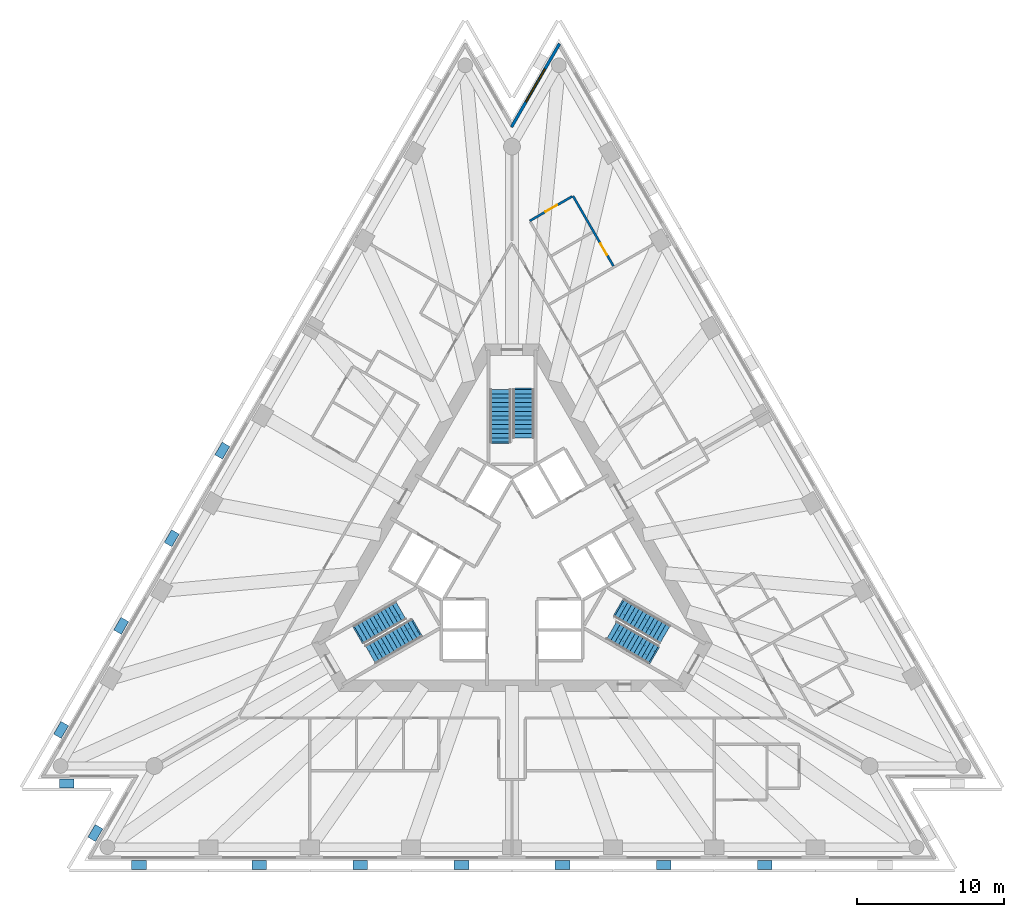
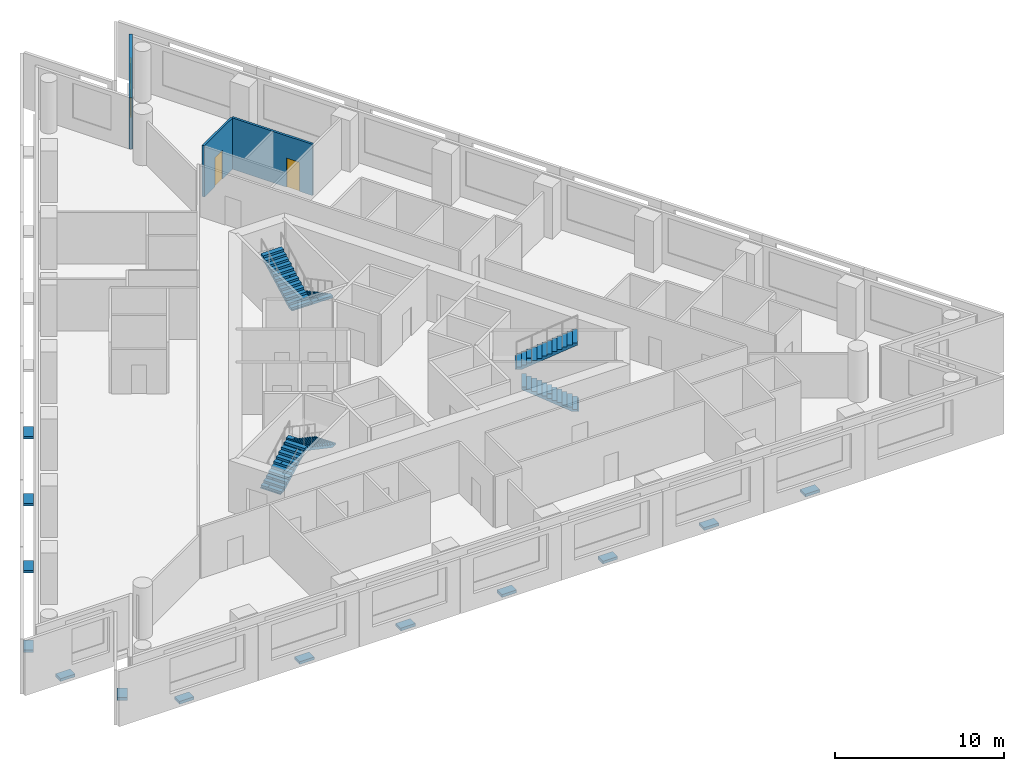
# One storey, part 7 of 10: 13 discrete accessories, 6 stair flights, 3 walls, 2 doors, 1 window, 3 openings, 3 elements without a shape of their own.
"""IFC4 building model written with IfcOpenShell, lengths in metres."""

from ifc_helpers import new_model, si_unit, direction, frame, frame_2d, origin, origin_2d, place, context, subcontext, project, spatial, polyline, rectangle, outline, extrude, material, layer, layer_set, layer_usage, type_object, element, fill, aggregate, save


model = new_model("IFC4")

# Units and contexts
model_context = context("Model", 3, precision=1e-05, world=origin(), true_north=direction((0.0, 1.0)))
body_context = subcontext(model_context, "Body", "Model", "MODEL_VIEW")
ifc_project = project(units=[si_unit("LENGTHUNIT", "METRE"), si_unit("AREAUNIT", "SQUARE_METRE"), si_unit("VOLUMEUNIT", "CUBIC_METRE"), si_unit("PLANEANGLEUNIT", "RADIAN"), si_unit("MASSUNIT", "GRAM", prefix="KILO")], contexts=[model_context])

# Site, building, storey
site_placement = place(None, origin())
site = spatial("IfcSite", under=ifc_project, at=site_placement, CompositionType="ELEMENT")
building_placement = place(site_placement, origin())
building = spatial("IfcBuilding", under=site, at=building_placement, Name="Triada Interchange Tower", CompositionType="ELEMENT")
storey_placement = place(building_placement, frame((0.0, 0.0, 116.300048828125)))
storey = spatial("IfcBuildingStorey", under=building, at=storey_placement, Name="L26", CompositionType="ELEMENT", Elevation=116.300048828125)

# Wall, opening, window
ifc_material_1 = material(Name="Cement board")
ifc_layer_1 = layer(ifc_material_1, 0.02001953125, Name="Cement board cladding")
ifc_material_2 = material(Name="Sheathing board")
ifc_layer_2 = layer(ifc_material_2, 0.014892578125, Name="Sheathing board")
ifc_material_3 = material(Name="Mineral wool")
ifc_layer_3 = layer(ifc_material_3, 0.14990234375, Name="Mineral wool between steel studs")
ifc_material_4 = material(Name="Gypsum board")
ifc_layer_4 = layer(ifc_material_4, 0.014892578125, Name="Plasterboard lining")
ifc_layer_set_1 = layer_set([ifc_layer_1, ifc_layer_2, ifc_layer_3, ifc_layer_4], Name="External wall 200")
ifc_layer_usage = layer_usage(ifc_layer_set_1, "AXIS2", "POSITIVE", -0.10009765625)
wall_type_1 = type_object("IfcWallType", Name="External wall 200", PredefinedType="ELEMENTEDWALL", material=ifc_layer_set_1)
wall_1_placement = place(storey_placement, frame((3.243896484375, 35.18505859375, 0.0), z_axis=(0.0, 0.0, 1.0), x_axis=(-0.499862072928, -0.866105021373, 0.0)))
wall_1 = element("IfcWall", 1, at=wall_1_placement, inside=storey, type_object=wall_type_1, material=ifc_layer_usage, Name="External wall L26 N-1", PredefinedType="ELEMENTEDWALL", context=body_context, shape_type="SweptSolid", body=[
    extrude(rectangle(XDim=6.559326171875, YDim=0.199951171875, at=frame_2d((3.27978515625, 0.0))), origin(), (0.0, 0.0, 1.0), 3.699951171875),
])
opening_1_placement = place(wall_1_placement, frame((1.989990234375, 0.0, 0.89990234375)))
opening_1 = element("IfcOpeningElement", 2, at=opening_1_placement, cuts=wall_1, Name="Opening WB29", PredefinedType="OPENING", context=body_context, shape_type="SweptSolid", body=[
    extrude(rectangle(XDim=2.60009765625, YDim=2.5, at=frame_2d((1.300048828125, 1.25))), frame((0.0, 0.10986328125, 0.0), z_axis=(0.0, -1.0, 0.0), x_axis=(1.0, 0.0, 0.0)), (0.0, 0.0, 1.0), 0.219970703125),
])
ifc_material_5 = material(Name="Double glazed aluminium window", Category="aluminium")
window_type = type_object("IfcWindowType", Name="Ribbon window B pocket", PartitioningType="SINGLE_PANEL", PredefinedType="WINDOW", material=ifc_material_5)
window_placement = place(opening_1_placement, origin())
window = element("IfcWindow", 3, at=window_placement, inside=storey, type_object=window_type, Name="Window L26 N-1 1", OverallHeight=2.5, OverallWidth=2.60009765625, PartitioningType="SINGLE_PANEL", PredefinedType="WINDOW", context=body_context, shape_type="SweptSolid", body=[
    extrude(rectangle(XDim=2.60009765625, YDim=2.5, at=frame_2d((1.300048828125, 1.25))), frame((0.0, 0.030029296875, 0.0), z_axis=(0.0, -1.0, 0.0), x_axis=(1.0, 0.0, 0.0)), (0.0, 0.0, 1.0), 0.06005859375),
])
fill(opening_1, window)

# Wall, opening, door
ifc_material_6 = material(Name="Gypsum board partition")
ifc_layer_5 = layer(ifc_material_6, 0.14990234375)
ifc_layer_set_2 = layer_set([ifc_layer_5], Name="PARTITION 150 EI 90")
wall_type_2 = type_object("IfcWallType", Name="PARTITION 150 EI 90", PredefinedType="PARTITIONING", material=ifc_layer_set_2)
wall_2_placement = place(storey_placement, frame((4.157958984375, 24.798095703125, 0.0), z_axis=(0.0, 0.0, 1.0), x_axis=(0.5000309746, -0.866007519852, 0.0)))
wall_2 = element("IfcWall", 4, at=wall_2_placement, inside=storey, type_object=wall_type_2, Name="Wall L26 47", PredefinedType="PARTITIONING", context=body_context, shape_type="SweptSolid", body=[
    extrude(rectangle(XDim=5.525634765625, YDim=0.14990234375, at=frame_2d((2.7626953125, 0.0))), origin(), (0.0, 0.0, 1.0), 3.699951171875),
])
opening_2_placement = place(wall_2_placement, frame((3.75, 0.0, 0.0)))
opening_2 = element("IfcOpeningElement", 5, at=opening_2_placement, cuts=wall_2, Name="Opening D26-32", PredefinedType="OPENING", context=body_context, shape_type="SweptSolid", body=[
    extrude(rectangle(XDim=0.89990234375, YDim=2.10009765625, at=frame_2d((0.449951171875, 1.050048828125))), frame((0.0, 0.0849609375, 0.0), z_axis=(0.0, -1.0, 0.0), x_axis=(1.0, 0.0, 0.0)), (0.0, 0.0, 1.0), 0.169921875),
])
ifc_material_7 = material(Name="Steel S235 door leaf", Category="steel")
door_type = type_object("IfcDoorType", Name="ROOM DOOR 900 EI2 45-C5S200", OperationType="NOTDEFINED", PredefinedType="DOOR", material=ifc_material_7)
door_1_placement = place(opening_2_placement, origin())
door_1 = element("IfcDoor", 6, at=door_1_placement, inside=storey, type_object=door_type, Name="Door D26-32 L26", OperationType="SINGLE_SWING_LEFT", OverallHeight=2.10009765625, OverallWidth=0.89990234375, PredefinedType="DOOR", context=body_context, shape_type="SweptSolid", body=[
    extrude(rectangle(XDim=0.89990234375, YDim=2.10009765625, at=frame_2d((0.449951171875, 1.050048828125))), frame((0.0, 0.02490234375, 0.0), z_axis=(0.0, -1.0, 0.0), x_axis=(1.0, 0.0, 0.0)), (0.0, 0.0, 1.0), 0.050048828125),
])
fill(opening_2, door_1)

wall_3_placement = place(storey_placement, frame((1.214111328125, 23.097900390625, 0.0), z_axis=(0.0, 0.0, 1.0), x_axis=(0.866029041019, 0.499993700073, 0.0)))
wall_3 = element("IfcWall", 7, at=wall_3_placement, inside=storey, type_object=wall_type_2, Name="Wall L26 48", PredefinedType="PARTITIONING", context=body_context, shape_type="SweptSolid", body=[
    extrude(rectangle(XDim=3.32421875, YDim=0.14990234375, at=frame_2d((1.662109375, 0.0))), origin(), (0.0, 0.0, 1.0), 3.699951171875),
])
opening_3_placement = place(wall_3_placement, frame((1.25, 0.0, 0.0)))
opening_3 = element("IfcOpeningElement", 8, at=opening_3_placement, cuts=wall_3, Name="Opening D26-33", PredefinedType="OPENING", context=body_context, shape_type="SweptSolid", body=[
    extrude(rectangle(XDim=0.89990234375, YDim=2.10009765625, at=frame_2d((0.449951171875, 1.050048828125))), frame((0.0, 0.0849609375, 0.0), z_axis=(0.0, -1.0, 0.0), x_axis=(1.0, 0.0, 0.0)), (0.0, 0.0, 1.0), 0.169921875),
])
door_2_placement = place(opening_3_placement, origin())
door_2 = element("IfcDoor", 9, at=door_2_placement, inside=storey, type_object=door_type, Name="Door D26-33 L26", OperationType="SINGLE_SWING_RIGHT", OverallHeight=2.10009765625, OverallWidth=0.89990234375, PredefinedType="DOOR", context=body_context, shape_type="SweptSolid", body=[
    extrude(rectangle(XDim=0.89990234375, YDim=2.10009765625, at=frame_2d((0.449951171875, 1.050048828125))), frame((0.0, 0.02490234375, 0.0), z_axis=(0.0, -1.0, 0.0), x_axis=(1.0, 0.0, 0.0)), (0.0, 0.0, 1.0), 0.050048828125),
])
fill(opening_3, door_2)

# Stair, stair flights
ifc_material_8 = material(Name="Concrete C35/45", Category="concrete")
stair_type = type_object("IfcStairType", Name="HALF TURN STAIR 1400", PredefinedType="HALF_TURN_STAIR", material=ifc_material_8)
stair_1_placement = place(storey_placement, origin())
stair_1 = element("IfcStair", 10, at=stair_1_placement, inside=storey, type_object=stair_type, Name="Exit stair S26-1", PredefinedType="HALF_TURN_STAIR")
stair_flight_type = type_object("IfcStairFlightType", Name="STRAIGHT STAIR FLIGHT 1400", PredefinedType="STRAIGHT", material=ifc_material_8)
stair_flight_1_placement = place(storey_placement, frame((0.800048828125, 11.60009765625, 0.0), z_axis=(0.0, 0.0, 1.0), x_axis=(0.0, -1.0, 0.0)))
stair_flight_1 = element("IfcStairFlight", 11, at=stair_flight_1_placement, type_object=stair_flight_type, Name="S26-1 flight 1", NumberOfRisers=12, NumberOfTreads=11, PredefinedType="STRAIGHT", RiserHeight=0.16, TreadLength=0.3, context=body_context, shape_type="SweptSolid", body=[
    extrude(outline(polyline([(-0.10009765625, 0.0), (-0.10009765625, 0.02001953125), (0.0, 0.02001953125), (0.0, 0.159912109375), (0.300048828125, 0.159912109375), (0.300048828125, 0.320068359375), (0.60009765625, 0.320068359375), (0.60009765625, 0.47998046875), (0.89990234375, 0.47998046875), (0.89990234375, 0.639892578125), (1.199951171875, 0.639892578125), (1.199951171875, 0.800048828125), (1.5, 0.800048828125), (1.5, 0.9599609375), (1.800048828125, 0.9599609375), (1.800048828125, 1.1201171875), (2.10009765625, 1.1201171875), (2.10009765625, 1.280029296875), (2.39990234375, 1.280029296875), (2.39990234375, 1.43994140625), (2.699951171875, 1.43994140625), (2.699951171875, 1.60009765625), (3.0, 1.60009765625), (3.0, 1.760009765625), (3.300048828125, 1.760009765625), (3.303955078125, 1.760009765625), (3.303955078125, 1.919921875), (3.303955078125, 1.590087890625), (0.318603515625, 0.0), (-0.10009765625, 0.0)])), frame((0.0, 0.699951171875, 0.0), z_axis=(0.0, -1.0, 0.0), x_axis=(1.0, 0.0, 0.0)), (0.0, 0.0, 1.0), 0.46533203125),
    extrude(outline(polyline([(-0.10009765625, 0.0), (-0.10009765625, 0.02001953125), (0.0, 0.02001953125), (0.0, 0.159912109375), (0.300048828125, 0.159912109375), (0.300048828125, 0.320068359375), (0.60009765625, 0.320068359375), (0.60009765625, 0.47998046875), (0.89990234375, 0.47998046875), (0.89990234375, 0.639892578125), (1.199951171875, 0.639892578125), (1.199951171875, 0.800048828125), (1.5, 0.800048828125), (1.5, 0.9599609375), (1.800048828125, 0.9599609375), (1.800048828125, 1.1201171875), (2.10009765625, 1.1201171875), (2.10009765625, 1.280029296875), (2.39990234375, 1.280029296875), (2.39990234375, 1.43994140625), (2.699951171875, 1.43994140625), (2.699951171875, 1.60009765625), (3.0, 1.60009765625), (3.0, 1.760009765625), (3.300048828125, 1.760009765625), (3.303955078125, 1.760009765625), (3.303955078125, 1.919921875), (3.303955078125, 1.590087890625), (0.318603515625, 0.0), (-0.10009765625, 0.0)])), frame((0.0, 0.232666015625, 0.0), z_axis=(0.0, -1.0, 0.0), x_axis=(1.0, 0.0, 0.0)), (0.0, 0.0, 1.0), 0.46533203125),
    extrude(outline(polyline([(-0.10009765625, 0.0), (-0.10009765625, 0.02001953125), (0.0, 0.02001953125), (0.0, 0.159912109375), (0.300048828125, 0.159912109375), (0.300048828125, 0.320068359375), (0.60009765625, 0.320068359375), (0.60009765625, 0.47998046875), (0.89990234375, 0.47998046875), (0.89990234375, 0.639892578125), (1.199951171875, 0.639892578125), (1.199951171875, 0.800048828125), (1.5, 0.800048828125), (1.5, 0.9599609375), (1.800048828125, 0.9599609375), (1.800048828125, 1.1201171875), (2.10009765625, 1.1201171875), (2.10009765625, 1.280029296875), (2.39990234375, 1.280029296875), (2.39990234375, 1.43994140625), (2.699951171875, 1.43994140625), (2.699951171875, 1.60009765625), (3.0, 1.60009765625), (3.0, 1.760009765625), (3.300048828125, 1.760009765625), (3.303955078125, 1.760009765625), (3.303955078125, 1.919921875), (3.303955078125, 1.590087890625), (0.318603515625, 0.0), (-0.10009765625, 0.0)])), frame((0.0, -0.234619140625, 0.0), z_axis=(0.0, -1.0, 0.0), x_axis=(1.0, 0.0, 0.0)), (0.0, 0.0, 1.0), 0.46533203125),
])
stair_flight_2_placement = place(storey_placement, frame((-0.800048828125, 8.0, 1.919921875), z_axis=(0.0, 0.0, 1.0), x_axis=(0.0, 1.0, 0.0)))
stair_flight_2 = element("IfcStairFlight", 12, at=stair_flight_2_placement, type_object=stair_flight_type, Name="S26-1 flight 2", NumberOfRisers=13, NumberOfTreads=12, PredefinedType="STRAIGHT", RiserHeight=0.16, TreadLength=0.3, context=body_context, shape_type="SweptSolid", body=[
    extrude(outline(polyline([(-0.10009765625, 0.0), (-0.10009765625, 0.02001953125), (0.0, 0.02001953125), (0.0, 0.159912109375), (0.300048828125, 0.159912109375), (0.300048828125, 0.320068359375), (0.60009765625, 0.320068359375), (0.60009765625, 0.47998046875), (0.89990234375, 0.47998046875), (0.89990234375, 0.639892578125), (1.199951171875, 0.639892578125), (1.199951171875, 0.800048828125), (1.5, 0.800048828125), (1.5, 0.9599609375), (1.800048828125, 0.9599609375), (1.800048828125, 1.1201171875), (2.10009765625, 1.1201171875), (2.10009765625, 1.280029296875), (2.39990234375, 1.280029296875), (2.39990234375, 1.43994140625), (2.699951171875, 1.43994140625), (2.699951171875, 1.60009765625), (3.0, 1.60009765625), (3.0, 1.760009765625), (3.300048828125, 1.760009765625), (3.300048828125, 1.919921875), (3.60009765625, 1.919921875), (3.60400390625, 1.919921875), (3.60400390625, 2.080078125), (3.60400390625, 1.75), (0.318603515625, 0.0), (-0.10009765625, 0.0)])), frame((0.0, 0.699951171875, 0.0), z_axis=(0.0, -1.0, 0.0), x_axis=(1.0, 0.0, 0.0)), (0.0, 0.0, 1.0), 0.46533203125),
    extrude(outline(polyline([(-0.10009765625, 0.0), (-0.10009765625, 0.02001953125), (0.0, 0.02001953125), (0.0, 0.159912109375), (0.300048828125, 0.159912109375), (0.300048828125, 0.320068359375), (0.60009765625, 0.320068359375), (0.60009765625, 0.47998046875), (0.89990234375, 0.47998046875), (0.89990234375, 0.639892578125), (1.199951171875, 0.639892578125), (1.199951171875, 0.800048828125), (1.5, 0.800048828125), (1.5, 0.9599609375), (1.800048828125, 0.9599609375), (1.800048828125, 1.1201171875), (2.10009765625, 1.1201171875), (2.10009765625, 1.280029296875), (2.39990234375, 1.280029296875), (2.39990234375, 1.43994140625), (2.699951171875, 1.43994140625), (2.699951171875, 1.60009765625), (3.0, 1.60009765625), (3.0, 1.760009765625), (3.300048828125, 1.760009765625), (3.300048828125, 1.919921875), (3.60009765625, 1.919921875), (3.60400390625, 1.919921875), (3.60400390625, 2.080078125), (3.60400390625, 1.75), (0.318603515625, 0.0), (-0.10009765625, 0.0)])), frame((0.0, 0.232666015625, 0.0), z_axis=(0.0, -1.0, 0.0), x_axis=(1.0, 0.0, 0.0)), (0.0, 0.0, 1.0), 0.46533203125),
    extrude(outline(polyline([(-0.10009765625, 0.0), (-0.10009765625, 0.02001953125), (0.0, 0.02001953125), (0.0, 0.159912109375), (0.300048828125, 0.159912109375), (0.300048828125, 0.320068359375), (0.60009765625, 0.320068359375), (0.60009765625, 0.47998046875), (0.89990234375, 0.47998046875), (0.89990234375, 0.639892578125), (1.199951171875, 0.639892578125), (1.199951171875, 0.800048828125), (1.5, 0.800048828125), (1.5, 0.9599609375), (1.800048828125, 0.9599609375), (1.800048828125, 1.1201171875), (2.10009765625, 1.1201171875), (2.10009765625, 1.280029296875), (2.39990234375, 1.280029296875), (2.39990234375, 1.43994140625), (2.699951171875, 1.43994140625), (2.699951171875, 1.60009765625), (3.0, 1.60009765625), (3.0, 1.760009765625), (3.300048828125, 1.760009765625), (3.300048828125, 1.919921875), (3.60009765625, 1.919921875), (3.60400390625, 1.919921875), (3.60400390625, 2.080078125), (3.60400390625, 1.75), (0.318603515625, 0.0), (-0.10009765625, 0.0)])), frame((0.0, -0.234619140625, 0.0), z_axis=(0.0, -1.0, 0.0), x_axis=(1.0, 0.0, 0.0)), (0.0, 0.0, 1.0), 0.46533203125),
])
aggregate(stair_1, [stair_flight_1, stair_flight_2])

stair_2_placement = place(storey_placement, origin())
stair_2 = element("IfcStair", 13, at=stair_2_placement, inside=storey, type_object=stair_type, Name="Exit stair S26-2", PredefinedType="HALF_TURN_STAIR")
stair_flight_3_placement = place(storey_placement, frame((-10.446044921875, -5.10693359375, 0.0), z_axis=(0.0, 0.0, 1.0), x_axis=(0.866025403784, 0.5, 0.0)))
stair_flight_3 = element("IfcStairFlight", 14, at=stair_flight_3_placement, type_object=stair_flight_type, Name="S26-2 flight 1", NumberOfRisers=12, NumberOfTreads=11, PredefinedType="STRAIGHT", RiserHeight=0.16, TreadLength=0.3, context=body_context, shape_type="SweptSolid", body=[
    extrude(outline(polyline([(-0.10009765625, 0.0), (-0.10009765625, 0.02001953125), (0.0, 0.02001953125), (0.0, 0.159912109375), (0.300048828125, 0.159912109375), (0.300048828125, 0.320068359375), (0.60009765625, 0.320068359375), (0.60009765625, 0.47998046875), (0.89990234375, 0.47998046875), (0.89990234375, 0.639892578125), (1.199951171875, 0.639892578125), (1.199951171875, 0.800048828125), (1.5, 0.800048828125), (1.5, 0.9599609375), (1.800048828125, 0.9599609375), (1.800048828125, 1.1201171875), (2.10009765625, 1.1201171875), (2.10009765625, 1.280029296875), (2.39990234375, 1.280029296875), (2.39990234375, 1.43994140625), (2.699951171875, 1.43994140625), (2.699951171875, 1.60009765625), (3.0, 1.60009765625), (3.0, 1.760009765625), (3.300048828125, 1.760009765625), (3.303955078125, 1.760009765625), (3.303955078125, 1.919921875), (3.303955078125, 1.590087890625), (0.318603515625, 0.0), (-0.10009765625, 0.0)])), frame((0.0, 0.699951171875, 0.0), z_axis=(0.0, -1.0, 0.0), x_axis=(1.0, 0.0, 0.0)), (0.0, 0.0, 1.0), 0.46533203125),
    extrude(outline(polyline([(-0.10009765625, 0.0), (-0.10009765625, 0.02001953125), (0.0, 0.02001953125), (0.0, 0.159912109375), (0.300048828125, 0.159912109375), (0.300048828125, 0.320068359375), (0.60009765625, 0.320068359375), (0.60009765625, 0.47998046875), (0.89990234375, 0.47998046875), (0.89990234375, 0.639892578125), (1.199951171875, 0.639892578125), (1.199951171875, 0.800048828125), (1.5, 0.800048828125), (1.5, 0.9599609375), (1.800048828125, 0.9599609375), (1.800048828125, 1.1201171875), (2.10009765625, 1.1201171875), (2.10009765625, 1.280029296875), (2.39990234375, 1.280029296875), (2.39990234375, 1.43994140625), (2.699951171875, 1.43994140625), (2.699951171875, 1.60009765625), (3.0, 1.60009765625), (3.0, 1.760009765625), (3.300048828125, 1.760009765625), (3.303955078125, 1.760009765625), (3.303955078125, 1.919921875), (3.303955078125, 1.590087890625), (0.318603515625, 0.0), (-0.10009765625, 0.0)])), frame((0.0, 0.232666015625, 0.0), z_axis=(0.0, -1.0, 0.0), x_axis=(1.0, 0.0, 0.0)), (0.0, 0.0, 1.0), 0.46533203125),
    extrude(outline(polyline([(-0.10009765625, 0.0), (-0.10009765625, 0.02001953125), (0.0, 0.02001953125), (0.0, 0.159912109375), (0.300048828125, 0.159912109375), (0.300048828125, 0.320068359375), (0.60009765625, 0.320068359375), (0.60009765625, 0.47998046875), (0.89990234375, 0.47998046875), (0.89990234375, 0.639892578125), (1.199951171875, 0.639892578125), (1.199951171875, 0.800048828125), (1.5, 0.800048828125), (1.5, 0.9599609375), (1.800048828125, 0.9599609375), (1.800048828125, 1.1201171875), (2.10009765625, 1.1201171875), (2.10009765625, 1.280029296875), (2.39990234375, 1.280029296875), (2.39990234375, 1.43994140625), (2.699951171875, 1.43994140625), (2.699951171875, 1.60009765625), (3.0, 1.60009765625), (3.0, 1.760009765625), (3.300048828125, 1.760009765625), (3.303955078125, 1.760009765625), (3.303955078125, 1.919921875), (3.303955078125, 1.590087890625), (0.318603515625, 0.0), (-0.10009765625, 0.0)])), frame((0.0, -0.234619140625, 0.0), z_axis=(0.0, -1.0, 0.0), x_axis=(1.0, 0.0, 0.0)), (0.0, 0.0, 1.0), 0.46533203125),
])
stair_flight_4_placement = place(storey_placement, frame((-6.528076171875, -4.693115234375, 1.919921875), z_axis=(0.0, 0.0, 1.0), x_axis=(-0.866025403784, -0.5, 0.0)))
stair_flight_4 = element("IfcStairFlight", 15, at=stair_flight_4_placement, type_object=stair_flight_type, Name="S26-2 flight 2", NumberOfRisers=13, NumberOfTreads=12, PredefinedType="STRAIGHT", RiserHeight=0.16, TreadLength=0.3, context=body_context, shape_type="SweptSolid", body=[
    extrude(outline(polyline([(-0.10009765625, 0.0), (-0.10009765625, 0.02001953125), (0.0, 0.02001953125), (0.0, 0.159912109375), (0.300048828125, 0.159912109375), (0.300048828125, 0.320068359375), (0.60009765625, 0.320068359375), (0.60009765625, 0.47998046875), (0.89990234375, 0.47998046875), (0.89990234375, 0.639892578125), (1.199951171875, 0.639892578125), (1.199951171875, 0.800048828125), (1.5, 0.800048828125), (1.5, 0.9599609375), (1.800048828125, 0.9599609375), (1.800048828125, 1.1201171875), (2.10009765625, 1.1201171875), (2.10009765625, 1.280029296875), (2.39990234375, 1.280029296875), (2.39990234375, 1.43994140625), (2.699951171875, 1.43994140625), (2.699951171875, 1.60009765625), (3.0, 1.60009765625), (3.0, 1.760009765625), (3.300048828125, 1.760009765625), (3.300048828125, 1.919921875), (3.60009765625, 1.919921875), (3.60400390625, 1.919921875), (3.60400390625, 2.080078125), (3.60400390625, 1.75), (0.318603515625, 0.0), (-0.10009765625, 0.0)])), frame((0.0, 0.699951171875, 0.0), z_axis=(0.0, -1.0, 0.0), x_axis=(1.0, 0.0, 0.0)), (0.0, 0.0, 1.0), 0.46533203125),
    extrude(outline(polyline([(-0.10009765625, 0.0), (-0.10009765625, 0.02001953125), (0.0, 0.02001953125), (0.0, 0.159912109375), (0.300048828125, 0.159912109375), (0.300048828125, 0.320068359375), (0.60009765625, 0.320068359375), (0.60009765625, 0.47998046875), (0.89990234375, 0.47998046875), (0.89990234375, 0.639892578125), (1.199951171875, 0.639892578125), (1.199951171875, 0.800048828125), (1.5, 0.800048828125), (1.5, 0.9599609375), (1.800048828125, 0.9599609375), (1.800048828125, 1.1201171875), (2.10009765625, 1.1201171875), (2.10009765625, 1.280029296875), (2.39990234375, 1.280029296875), (2.39990234375, 1.43994140625), (2.699951171875, 1.43994140625), (2.699951171875, 1.60009765625), (3.0, 1.60009765625), (3.0, 1.760009765625), (3.300048828125, 1.760009765625), (3.300048828125, 1.919921875), (3.60009765625, 1.919921875), (3.60400390625, 1.919921875), (3.60400390625, 2.080078125), (3.60400390625, 1.75), (0.318603515625, 0.0), (-0.10009765625, 0.0)])), frame((0.0, 0.232666015625, 0.0), z_axis=(0.0, -1.0, 0.0), x_axis=(1.0, 0.0, 0.0)), (0.0, 0.0, 1.0), 0.46533203125),
    extrude(outline(polyline([(-0.10009765625, 0.0), (-0.10009765625, 0.02001953125), (0.0, 0.02001953125), (0.0, 0.159912109375), (0.300048828125, 0.159912109375), (0.300048828125, 0.320068359375), (0.60009765625, 0.320068359375), (0.60009765625, 0.47998046875), (0.89990234375, 0.47998046875), (0.89990234375, 0.639892578125), (1.199951171875, 0.639892578125), (1.199951171875, 0.800048828125), (1.5, 0.800048828125), (1.5, 0.9599609375), (1.800048828125, 0.9599609375), (1.800048828125, 1.1201171875), (2.10009765625, 1.1201171875), (2.10009765625, 1.280029296875), (2.39990234375, 1.280029296875), (2.39990234375, 1.43994140625), (2.699951171875, 1.43994140625), (2.699951171875, 1.60009765625), (3.0, 1.60009765625), (3.0, 1.760009765625), (3.300048828125, 1.760009765625), (3.300048828125, 1.919921875), (3.60009765625, 1.919921875), (3.60400390625, 1.919921875), (3.60400390625, 2.080078125), (3.60400390625, 1.75), (0.318603515625, 0.0), (-0.10009765625, 0.0)])), frame((0.0, -0.234619140625, 0.0), z_axis=(0.0, -1.0, 0.0), x_axis=(1.0, 0.0, 0.0)), (0.0, 0.0, 1.0), 0.46533203125),
])
aggregate(stair_2, [stair_flight_3, stair_flight_4])

stair_3_placement = place(storey_placement, origin())
stair_3 = element("IfcStair", 16, at=stair_3_placement, inside=storey, type_object=stair_type, Name="Exit stair S26-3", PredefinedType="HALF_TURN_STAIR")
stair_flight_5_placement = place(storey_placement, frame((9.64599609375, -6.492919921875, 0.0), z_axis=(0.0, 0.0, 1.0), x_axis=(-0.866025403784, 0.5, 0.0)))
stair_flight_5 = element("IfcStairFlight", 17, at=stair_flight_5_placement, type_object=stair_flight_type, Name="S26-3 flight 1", NumberOfRisers=12, NumberOfTreads=11, PredefinedType="STRAIGHT", RiserHeight=0.16, TreadLength=0.3, context=body_context, shape_type="SweptSolid", body=[
    extrude(outline(polyline([(-0.10009765625, 0.0), (-0.10009765625, 0.02001953125), (0.0, 0.02001953125), (0.0, 0.159912109375), (0.300048828125, 0.159912109375), (0.300048828125, 0.320068359375), (0.60009765625, 0.320068359375), (0.60009765625, 0.47998046875), (0.89990234375, 0.47998046875), (0.89990234375, 0.639892578125), (1.199951171875, 0.639892578125), (1.199951171875, 0.800048828125), (1.5, 0.800048828125), (1.5, 0.9599609375), (1.800048828125, 0.9599609375), (1.800048828125, 1.1201171875), (2.10009765625, 1.1201171875), (2.10009765625, 1.280029296875), (2.39990234375, 1.280029296875), (2.39990234375, 1.43994140625), (2.699951171875, 1.43994140625), (2.699951171875, 1.60009765625), (3.0, 1.60009765625), (3.0, 1.760009765625), (3.300048828125, 1.760009765625), (3.303955078125, 1.760009765625), (3.303955078125, 1.919921875), (3.303955078125, 1.590087890625), (0.318603515625, 0.0), (-0.10009765625, 0.0)])), frame((0.0, 0.699951171875, 0.0), z_axis=(0.0, -1.0, 0.0), x_axis=(1.0, 0.0, 0.0)), (0.0, 0.0, 1.0), 0.46533203125),
    extrude(outline(polyline([(-0.10009765625, 0.0), (-0.10009765625, 0.02001953125), (0.0, 0.02001953125), (0.0, 0.159912109375), (0.300048828125, 0.159912109375), (0.300048828125, 0.320068359375), (0.60009765625, 0.320068359375), (0.60009765625, 0.47998046875), (0.89990234375, 0.47998046875), (0.89990234375, 0.639892578125), (1.199951171875, 0.639892578125), (1.199951171875, 0.800048828125), (1.5, 0.800048828125), (1.5, 0.9599609375), (1.800048828125, 0.9599609375), (1.800048828125, 1.1201171875), (2.10009765625, 1.1201171875), (2.10009765625, 1.280029296875), (2.39990234375, 1.280029296875), (2.39990234375, 1.43994140625), (2.699951171875, 1.43994140625), (2.699951171875, 1.60009765625), (3.0, 1.60009765625), (3.0, 1.760009765625), (3.300048828125, 1.760009765625), (3.303955078125, 1.760009765625), (3.303955078125, 1.919921875), (3.303955078125, 1.590087890625), (0.318603515625, 0.0), (-0.10009765625, 0.0)])), frame((0.0, 0.232666015625, 0.0), z_axis=(0.0, -1.0, 0.0), x_axis=(1.0, 0.0, 0.0)), (0.0, 0.0, 1.0), 0.46533203125),
    extrude(outline(polyline([(-0.10009765625, 0.0), (-0.10009765625, 0.02001953125), (0.0, 0.02001953125), (0.0, 0.159912109375), (0.300048828125, 0.159912109375), (0.300048828125, 0.320068359375), (0.60009765625, 0.320068359375), (0.60009765625, 0.47998046875), (0.89990234375, 0.47998046875), (0.89990234375, 0.639892578125), (1.199951171875, 0.639892578125), (1.199951171875, 0.800048828125), (1.5, 0.800048828125), (1.5, 0.9599609375), (1.800048828125, 0.9599609375), (1.800048828125, 1.1201171875), (2.10009765625, 1.1201171875), (2.10009765625, 1.280029296875), (2.39990234375, 1.280029296875), (2.39990234375, 1.43994140625), (2.699951171875, 1.43994140625), (2.699951171875, 1.60009765625), (3.0, 1.60009765625), (3.0, 1.760009765625), (3.300048828125, 1.760009765625), (3.303955078125, 1.760009765625), (3.303955078125, 1.919921875), (3.303955078125, 1.590087890625), (0.318603515625, 0.0), (-0.10009765625, 0.0)])), frame((0.0, -0.234619140625, 0.0), z_axis=(0.0, -1.0, 0.0), x_axis=(1.0, 0.0, 0.0)), (0.0, 0.0, 1.0), 0.46533203125),
])
stair_flight_6_placement = place(storey_placement, frame((7.327880859375, -3.306884765625, 1.919921875), z_axis=(0.0, 0.0, 1.0), x_axis=(0.866025403784, -0.5, 0.0)))
stair_flight_6 = element("IfcStairFlight", 18, at=stair_flight_6_placement, type_object=stair_flight_type, Name="S26-3 flight 2", NumberOfRisers=13, NumberOfTreads=12, PredefinedType="STRAIGHT", RiserHeight=0.16, TreadLength=0.3, context=body_context, shape_type="SweptSolid", body=[
    extrude(outline(polyline([(-0.10009765625, 0.0), (-0.10009765625, 0.02001953125), (0.0, 0.02001953125), (0.0, 0.159912109375), (0.300048828125, 0.159912109375), (0.300048828125, 0.320068359375), (0.60009765625, 0.320068359375), (0.60009765625, 0.47998046875), (0.89990234375, 0.47998046875), (0.89990234375, 0.639892578125), (1.199951171875, 0.639892578125), (1.199951171875, 0.800048828125), (1.5, 0.800048828125), (1.5, 0.9599609375), (1.800048828125, 0.9599609375), (1.800048828125, 1.1201171875), (2.10009765625, 1.1201171875), (2.10009765625, 1.280029296875), (2.39990234375, 1.280029296875), (2.39990234375, 1.43994140625), (2.699951171875, 1.43994140625), (2.699951171875, 1.60009765625), (3.0, 1.60009765625), (3.0, 1.760009765625), (3.300048828125, 1.760009765625), (3.300048828125, 1.919921875), (3.60009765625, 1.919921875), (3.60400390625, 1.919921875), (3.60400390625, 2.080078125), (3.60400390625, 1.75), (0.318603515625, 0.0), (-0.10009765625, 0.0)])), frame((0.0, 0.699951171875, 0.0), z_axis=(0.0, -1.0, 0.0), x_axis=(1.0, 0.0, 0.0)), (0.0, 0.0, 1.0), 0.46533203125),
    extrude(outline(polyline([(-0.10009765625, 0.0), (-0.10009765625, 0.02001953125), (0.0, 0.02001953125), (0.0, 0.159912109375), (0.300048828125, 0.159912109375), (0.300048828125, 0.320068359375), (0.60009765625, 0.320068359375), (0.60009765625, 0.47998046875), (0.89990234375, 0.47998046875), (0.89990234375, 0.639892578125), (1.199951171875, 0.639892578125), (1.199951171875, 0.800048828125), (1.5, 0.800048828125), (1.5, 0.9599609375), (1.800048828125, 0.9599609375), (1.800048828125, 1.1201171875), (2.10009765625, 1.1201171875), (2.10009765625, 1.280029296875), (2.39990234375, 1.280029296875), (2.39990234375, 1.43994140625), (2.699951171875, 1.43994140625), (2.699951171875, 1.60009765625), (3.0, 1.60009765625), (3.0, 1.760009765625), (3.300048828125, 1.760009765625), (3.300048828125, 1.919921875), (3.60009765625, 1.919921875), (3.60400390625, 1.919921875), (3.60400390625, 2.080078125), (3.60400390625, 1.75), (0.318603515625, 0.0), (-0.10009765625, 0.0)])), frame((0.0, 0.232666015625, 0.0), z_axis=(0.0, -1.0, 0.0), x_axis=(1.0, 0.0, 0.0)), (0.0, 0.0, 1.0), 0.46533203125),
    extrude(outline(polyline([(-0.10009765625, 0.0), (-0.10009765625, 0.02001953125), (0.0, 0.02001953125), (0.0, 0.159912109375), (0.300048828125, 0.159912109375), (0.300048828125, 0.320068359375), (0.60009765625, 0.320068359375), (0.60009765625, 0.47998046875), (0.89990234375, 0.47998046875), (0.89990234375, 0.639892578125), (1.199951171875, 0.639892578125), (1.199951171875, 0.800048828125), (1.5, 0.800048828125), (1.5, 0.9599609375), (1.800048828125, 0.9599609375), (1.800048828125, 1.1201171875), (2.10009765625, 1.1201171875), (2.10009765625, 1.280029296875), (2.39990234375, 1.280029296875), (2.39990234375, 1.43994140625), (2.699951171875, 1.43994140625), (2.699951171875, 1.60009765625), (3.0, 1.60009765625), (3.0, 1.760009765625), (3.300048828125, 1.760009765625), (3.300048828125, 1.919921875), (3.60009765625, 1.919921875), (3.60400390625, 1.919921875), (3.60400390625, 2.080078125), (3.60400390625, 1.75), (0.318603515625, 0.0), (-0.10009765625, 0.0)])), frame((0.0, -0.234619140625, 0.0), z_axis=(0.0, -1.0, 0.0), x_axis=(1.0, 0.0, 0.0)), (0.0, 0.0, 1.0), 0.46533203125),
])
aggregate(stair_3, [stair_flight_5, stair_flight_6])

# Discrete accessories
ifc_material_9 = material(Name="Steel S355", Category="steel")
discrete_accessory_type = type_object("IfcDiscreteAccessoryType", Name="Steel bracket outer skin", PredefinedType="BRACKET", material=ifc_material_9)
for number, where, z_axis, x_axis, name in (
    (19, (-19.758056640625, 7.425048828125, -0.27001953125), (0.0, 0.0, 1.0), (-0.866028484274, 0.499994664397, 0.0), "Bracket L26 05"),
    (20, (-23.20703125, 1.450927734375, -0.27001953125), (0.0, 0.0, 1.0), (-0.866028484274, 0.499994664397, 0.0), "Bracket L26 06"),
    (21, (-26.656005859375, -4.52197265625, -0.27001953125), (0.0, 0.0, 1.0), (-0.866028484274, 0.499994664397, 0.0), "Bracket L26 07"),
    (22, (-30.75390625, -11.62109375, -0.27001953125), (0.0, 0.0, 1.0), (-0.866028484274, 0.499994664397, 0.0), "Bracket L26 08"),
    (23, (-30.362060546875, -15.282958984375, -0.27001953125), (0.0, 0.0, 1.0), (0.0, -1.0, 0.0), "Bracket L26 09"),
    (24, (-28.416015625, -18.653076171875, -0.27001953125), (0.0, 0.0, 1.0), (-0.865964345711, 0.500105740775, 0.0), "Bracket L26 10"),
    (25, (-25.44091796875, -20.823974609375, -0.27001953125), (0.0, 0.0, 1.0), (0.0, -1.0, 0.0), "Bracket L26 11"),
    (26, (-17.243896484375, -20.823974609375, -0.27001953125), (0.0, 0.0, 1.0), (0.0, -1.0, 0.0), "Bracket L26 12"),
    (27, (-10.346923828125, -20.823974609375, -0.27001953125), (0.0, 0.0, 1.0), (0.0, -1.0, 0.0), "Bracket L26 13"),
    (28, (-3.448974609375, -20.823974609375, -0.27001953125), (0.0, 0.0, 1.0), (0.0, -1.0, 0.0), "Bracket L26 14"),
    (29, (3.448974609375, -20.823974609375, -0.27001953125), (0.0, 0.0, 1.0), (0.0, -1.0, 0.0), "Bracket L26 15"),
    (30, (10.346923828125, -20.823974609375, -0.27001953125), (0.0, 0.0, 1.0), (0.0, -1.0, 0.0), "Bracket L26 16"),
    (31, (17.243896484375, -20.823974609375, -0.27001953125), (0.0, 0.0, 1.0), (0.0, -1.0, 0.0), "Bracket L26 17"),
):
    element("IfcDiscreteAccessory", number, at=place(storey_placement, frame(where, z_axis=z_axis, x_axis=x_axis)), inside=storey, type_object=discrete_accessory_type, Name=name, PredefinedType="BRACKET", context=body_context, shape_type="SweptSolid", body=[
        extrude(rectangle(XDim=0.60009765625, YDim=1.0, at=origin_2d()), origin(), (0.0, 0.0, 1.0), 0.199951171875),
    ])

save(model, "model.ifc")
